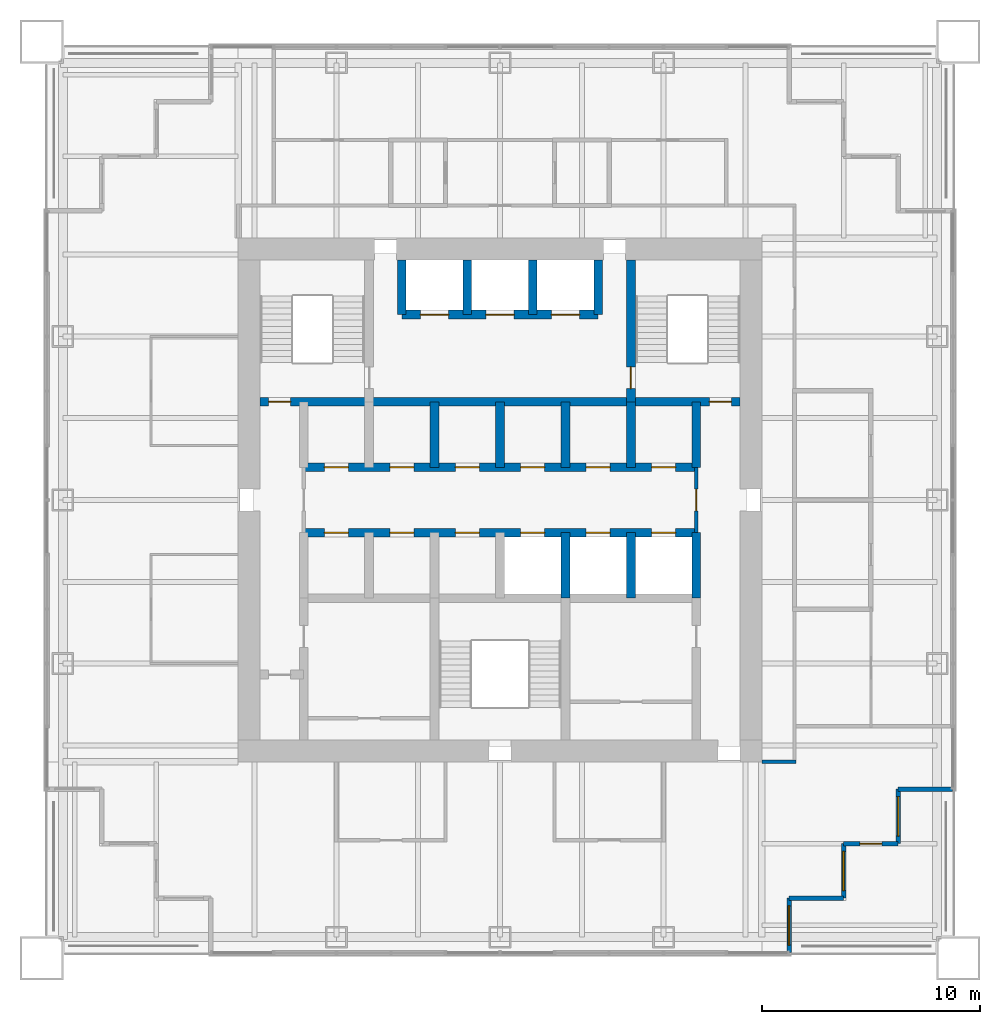
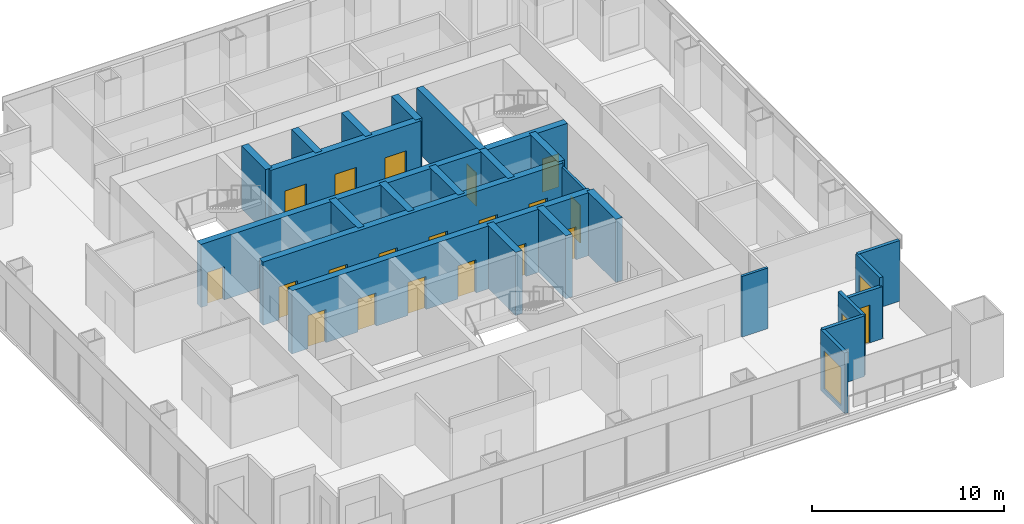
# One storey, part 10 of 14: 25 walls, 20 doors, 3 windows, 23 openings.
"""IFC4 building model written with IfcOpenShell, lengths in metres."""

import ifcopenshell
import ifcopenshell.guid

model = None  # the IFC model being written
_history = None  # IfcOwnerHistory: only IFC2X3 demands one
_inside = {}  # id of a spatial element -> (the spatial element, [elements in it])
_under = {}  # id of a project, library or spatial element -> (it, [spatial elements below it])
_declared = {}  # id of a project -> (the project, [libraries it declares])
_typed = {}  # id of a type object -> (the type object, [elements of that type])
_made_of = {}  # id of a material, layer set ... -> (it, [elements and type objects made of it])


def new_model(schema):
    """Start an empty IFC model of exactly this schema.

    Asked for "IFC4X3", IfcOpenShell would pick the latest addendum, in which some entities
    have other attributes; the version numbers below select the first issue.
    IFC2X3 requires an IfcOwnerHistory on every rooted entity: one is made here for all.
    """
    global model, _history
    if schema == "IFC4X3":
        model = ifcopenshell.file(schema_version=(4, 3, 0, 0))
    else:
        model = ifcopenshell.file(schema=schema)
    _inside.clear()
    _under.clear()
    _declared.clear()
    _typed.clear()
    _made_of.clear()
    _history = None
    if model.schema == "IFC2X3":
        org = make("IfcOrganization", Name="unknown")
        user = make(
            "IfcPersonAndOrganization",
            ThePerson=make("IfcPerson", FamilyName="unknown"),
            TheOrganization=org,
        )
        app = make(
            "IfcApplication",
            ApplicationDeveloper=org,
            Version="unknown",
            ApplicationFullName="unknown",
            ApplicationIdentifier="unknown",
        )
        _history = make(
            "IfcOwnerHistory",
            OwningUser=user,
            OwningApplication=app,
            ChangeAction="ADDED",
            CreationDate=0,
        )
    return model


def make(cls, **values):
    """One entity of the class cls with the attributes given. An attribute that is None is left unset."""
    return model.create_entity(
        cls, **{name: value for name, value in values.items() if value is not None}
    )


def rooted(cls, **values):
    """An entity with a GlobalId (a new one), such as an element, a storey or a relation."""
    return make(cls, GlobalId=ifcopenshell.guid.new(), OwnerHistory=_history, **values)


def si_unit(unit_type, name, prefix=None):
    """IfcSIUnit, for example si_unit("LENGTHUNIT", "METRE", prefix="MILLI")."""
    return make("IfcSIUnit", UnitType=unit_type, Prefix=prefix, Name=name)


def assignment(units):
    """IfcUnitAssignment: the units of a project."""
    return None if units is None else make("IfcUnitAssignment", Units=units)


def point(xyz):
    """IfcCartesianPoint."""
    return None if xyz is None else make("IfcCartesianPoint", Coordinates=xyz)


def direction(xyz):
    """IfcDirection."""
    return None if xyz is None else make("IfcDirection", DirectionRatios=xyz)


def frame(location, z_axis=None, x_axis=None):
    """IfcAxis2Placement3D, a coordinate frame: its origin and axes. An axis left out is left unset."""
    return make(
        "IfcAxis2Placement3D",
        Location=point(location),
        Axis=direction(z_axis),
        RefDirection=direction(x_axis),
    )


def frame_2d(location, x_axis=None):
    """IfcAxis2Placement2D, a coordinate frame in the plane: its origin and x axis."""
    return make(
        "IfcAxis2Placement2D", Location=point(location), RefDirection=direction(x_axis)
    )


def origin():
    """The frame at (0, 0, 0) with its axes left unset."""
    return frame((0.0, 0.0, 0.0))


def place(relative_to, where):
    """IfcLocalPlacement: puts the frame where relative to a parent placement (None: the world)."""
    return make(
        "IfcLocalPlacement", PlacementRelTo=relative_to, RelativePlacement=where
    )


def context(
    kind, dimensions, precision=None, world=None, true_north=None, identifier=None
):
    """IfcGeometricRepresentationContext, for example the 3D "Model" context."""
    return make(
        "IfcGeometricRepresentationContext",
        ContextIdentifier=identifier,
        ContextType=kind,
        CoordinateSpaceDimension=dimensions,
        Precision=precision,
        WorldCoordinateSystem=world,
        TrueNorth=true_north,
    )


def subcontext(parent, identifier, kind, view, scale=None):
    """IfcGeometricRepresentationSubContext, for example "Body" below "Model"."""
    return make(
        "IfcGeometricRepresentationSubContext",
        ContextIdentifier=identifier,
        ContextType=kind,
        ParentContext=parent,
        TargetScale=scale,
        TargetView=view,
    )


def project(units=None, contexts=None):
    """IfcProject with its units and contexts."""
    return rooted(
        "IfcProject",
        Name="project",
        RepresentationContexts=contexts,
        UnitsInContext=assignment(units),
    )


def spatial(cls, under=None, at=None, **own):
    """A site, building, storey or space (cls), placed at a placement, below another one or the project."""
    s = rooted(cls, ObjectPlacement=at, **own)
    if under is not None:
        _under.setdefault(under.id(), (under, []))[1].append(s)
    return s


def profile(cls, at=None, kind="AREA", **sizes):
    """A parametric profile (cls). Its sizes go by their IFC names, for example OverallWidth=200.0."""
    return make(cls, ProfileType=kind, Position=at, **sizes)


def rectangle(**sizes):
    """IfcRectangleProfileDef."""
    return profile("IfcRectangleProfileDef", **sizes)


def extrude(swept, where, along, depth):
    """IfcExtrudedAreaSolid: the profile swept, set in the frame where, extruded along a direction by depth."""
    return make(
        "IfcExtrudedAreaSolid",
        SweptArea=swept,
        Position=where,
        ExtrudedDirection=direction(along),
        Depth=depth,
    )


def shape(context_of_items, identifier, shape_type, items):
    """IfcShapeRepresentation: the items that make up one representation, for example the "Body"."""
    return make(
        "IfcShapeRepresentation",
        ContextOfItems=context_of_items,
        RepresentationIdentifier=identifier,
        RepresentationType=shape_type,
        Items=items,
    )


def material(Name=None, Category=None):
    """IfcMaterial."""
    return make("IfcMaterial", Name=Name, Category=Category)


def layer(
    of_material, thickness, ventilated=None, Name=None, Category=None, Priority=None
):
    """IfcMaterialLayer: one layer of a wall or slab, of a material (None: an air gap)."""
    return make(
        "IfcMaterialLayer",
        Material=of_material,
        LayerThickness=thickness,
        IsVentilated=ventilated,
        Name=Name,
        Category=Category,
        Priority=Priority,
    )


def layer_set(layers, Name=None):
    """IfcMaterialLayerSet."""
    return make("IfcMaterialLayerSet", MaterialLayers=layers, LayerSetName=Name)


def made_of(thing, what):
    """Note that an element or type object is made of a material, layer set ...; save() writes the relation."""
    if what is not None:
        _made_of.setdefault(what.id(), (what, []))[1].append(thing)
    return thing


def type_object(cls, material=None, **own):
    """A type object (cls), such as IfcWallType, which elements share."""
    return made_of(rooted(cls, **own), material)


def element(
    cls,
    number,
    at=None,
    inside=None,
    cuts=None,
    type_object=None,
    material=None,
    context=None,
    identifier="Body",
    shape_type=None,
    held_by="IfcProductDefinitionShape",
    body=None,
    shapes=None,
    **own,
):
    """One element of the class cls, such as IfcWall. Its Tag is "e" and its number.

    at: its placement. inside: the storey or other place that contains it. cuts: it is an
    opening in that element (IfcRelVoidsElement). A single representation is given by context,
    identifier, shape_type and body (its items); several are given by shapes. held_by: the class
    of the entity that holds the representations. save() writes the other relations.
    """
    e = rooted(cls, Tag="e%d" % number, ObjectPlacement=at, **own)
    if body is not None:
        shapes = [shape(context, identifier, shape_type, body)]
    if shapes is not None:
        e.Representation = make(held_by, Representations=shapes)
    if inside is not None:
        _inside.setdefault(inside.id(), (inside, []))[1].append(e)
    if cuts is not None:
        rooted(
            "IfcRelVoidsElement", RelatingBuildingElement=cuts, RelatedOpeningElement=e
        )
    if type_object is not None:
        _typed.setdefault(type_object.id(), (type_object, []))[1].append(e)
    return made_of(e, material)


def fill(opening, filler):
    """IfcRelFillsElement: the door or window that sits in an opening."""
    return rooted(
        "IfcRelFillsElement",
        RelatingOpeningElement=opening,
        RelatedBuildingElement=filler,
    )


def aggregate(whole, parts):
    """IfcRelAggregates: a whole, such as a stair, and the parts it consists of."""
    return rooted("IfcRelAggregates", RelatingObject=whole, RelatedObjects=parts)


def save(model, path):
    """Write the relations noted so far, then the file.

    IfcRelAggregates (storeys below a building ...), IfcRelContainedInSpatialStructure (elements
    in a storey), IfcRelDefinesByType, IfcRelAssociatesMaterial and IfcRelDeclares: one each for
    every whole, place, type object, material and project.
    """
    for whole, parts in _under.values():
        aggregate(whole, parts)
    for where, things in _inside.values():
        rooted(
            "IfcRelContainedInSpatialStructure",
            RelatedElements=things,
            RelatingStructure=where,
        )
    for kind, things in _typed.values():
        rooted("IfcRelDefinesByType", RelatedObjects=things, RelatingType=kind)
    for what, things in _made_of.values():
        rooted("IfcRelAssociatesMaterial", RelatedObjects=things, RelatingMaterial=what)
    for by, libraries in _declared.values():
        rooted("IfcRelDeclares", RelatingContext=by, RelatedDefinitions=libraries)
    model.write(path)


model = new_model("IFC4")

# Units and contexts
model_context = context("Model", 3, precision=1e-05, world=origin(), true_north=direction((0.0, 1.0)))
body_context = subcontext(model_context, "Body", "Model", "MODEL_VIEW")
ifc_project = project(units=[si_unit("LENGTHUNIT", "METRE"), si_unit("AREAUNIT", "SQUARE_METRE"), si_unit("VOLUMEUNIT", "CUBIC_METRE"), si_unit("PLANEANGLEUNIT", "RADIAN"), si_unit("MASSUNIT", "GRAM", prefix="KILO")], contexts=[model_context])

# Site, building, storey
site_placement = place(None, origin())
site = spatial("IfcSite", under=ifc_project, at=site_placement, CompositionType="ELEMENT")
building_placement = place(site_placement, origin())
building = spatial("IfcBuilding", under=site, at=building_placement, Name="Tarangal Relay Tower", CompositionType="ELEMENT")
storey_placement = place(building_placement, frame((0.0, 0.0, 319.89990234375)))
storey = spatial("IfcBuildingStorey", under=building, at=storey_placement, Name="L71", CompositionType="ELEMENT", Elevation=319.89990234375)

# Wall, openings, doors
ifc_material_1 = material(Name="Concrete fc' 60 MPa", Category="concrete")
ifc_layer_1 = layer(ifc_material_1, 0.39990234375)
ifc_layer_set_1 = layer_set([ifc_layer_1], Name="Core inner wall 400")
wall_type_1 = type_object("IfcWallType", Name="Core inner wall 400", PredefinedType="SHEAR", material=ifc_layer_set_1)
wall_1_placement = place(storey_placement, frame((-11.0, 4.5, 0.0), z_axis=(0.0, 0.0, 1.0), x_axis=(1.0, 0.0, 0.0)))
wall_1 = element("IfcWall", 1, at=wall_1_placement, inside=storey, type_object=wall_type_1, Name="Core wall Y45 L71", PredefinedType="SHEAR", context=body_context, shape_type="SweptSolid", body=[
    extrude(rectangle(XDim=22.0, YDim=0.39990234375, at=frame_2d((11.0, 0.0))), origin(), (0.0, 0.0, 1.0), 4.0),
])
opening_1_placement = place(wall_1_placement, frame((0.39990234375, 0.0, 0.0)))
opening_1 = element("IfcOpeningElement", 2, at=opening_1_placement, cuts=wall_1, Name="Opening FD1", PredefinedType="OPENING", context=body_context, shape_type="SweptSolid", body=[
    extrude(rectangle(XDim=1.0, YDim=2.10009765625, at=frame_2d((0.5, 1.050048828125))), frame((0.0, 0.2099609375, 0.0), z_axis=(0.0, -1.0, 0.0), x_axis=(1.0, 0.0, 0.0)), (0.0, 0.0, 1.0), 0.419921875),
])
opening_2_placement = place(wall_1_placement, frame((20.60009765625, 0.0, 0.0)))
opening_2 = element("IfcOpeningElement", 3, at=opening_2_placement, cuts=wall_1, Name="Opening FD1", PredefinedType="OPENING", context=body_context, shape_type="SweptSolid", body=[
    extrude(rectangle(XDim=1.0, YDim=2.10009765625, at=frame_2d((0.5, 1.050048828125))), frame((0.0, 0.2099609375, 0.0), z_axis=(0.0, -1.0, 0.0), x_axis=(1.0, 0.0, 0.0)), (0.0, 0.0, 1.0), 0.419921875),
])
ifc_material_2 = material(Name="Steel door with hardwood frame", Category="steel")
door_type_1 = type_object("IfcDoorType", Name="Fire door 1000 x 2100", OperationType="SINGLE_SWING_LEFT", PredefinedType="DOOR", material=ifc_material_2)
door_1_placement = place(opening_1_placement, origin())
door_1 = element("IfcDoor", 4, at=door_1_placement, inside=storey, type_object=door_type_1, Name="Stair ST-A door from corridor L71", OperationType="SINGLE_SWING_LEFT", OverallHeight=2.10009765625, OverallWidth=1.0, PredefinedType="DOOR", context=body_context, shape_type="SweptSolid", body=[
    extrude(rectangle(XDim=1.0, YDim=2.10009765625, at=frame_2d((0.5, 1.050048828125))), frame((0.0, 0.02490234375, 0.0), z_axis=(0.0, -1.0, 0.0), x_axis=(1.0, 0.0, 0.0)), (0.0, 0.0, 1.0), 0.050048828125),
])
fill(opening_1, door_1)
door_2_placement = place(opening_2_placement, origin())
door_2 = element("IfcDoor", 5, at=door_2_placement, inside=storey, type_object=door_type_1, Name="Stair ST-B door from corridor L71", OperationType="SINGLE_SWING_LEFT", OverallHeight=2.10009765625, OverallWidth=1.0, PredefinedType="DOOR", context=body_context, shape_type="SweptSolid", body=[
    extrude(rectangle(XDim=1.0, YDim=2.10009765625, at=frame_2d((0.5, 1.050048828125))), frame((0.0, 0.02490234375, 0.0), z_axis=(0.0, -1.0, 0.0), x_axis=(1.0, 0.0, 0.0)), (0.0, 0.0, 1.0), 0.050048828125),
])
fill(opening_2, door_2)

wall_2_placement = place(storey_placement, frame((-9.0, 1.5, 0.0), z_axis=(0.0, 0.0, 1.0), x_axis=(1.0, 0.0, 0.0)))
wall_2 = element("IfcWall", 6, at=wall_2_placement, inside=storey, type_object=wall_type_1, Name="Core wall Y15 L71", PredefinedType="SHEAR", context=body_context, shape_type="SweptSolid", body=[
    extrude(rectangle(XDim=18.0, YDim=0.39990234375, at=frame_2d((9.0, 0.0))), origin(), (0.0, 0.0, 1.0), 4.0),
])
opening_3_placement = place(wall_2_placement, frame((0.949951171875, 0.0, 0.0)))
opening_3 = element("IfcOpeningElement", 7, at=opening_3_placement, cuts=wall_2, Name="Opening D4", PredefinedType="OPENING", context=body_context, shape_type="SweptSolid", body=[
    extrude(rectangle(XDim=1.10009765625, YDim=2.10009765625, at=frame_2d((0.550048828125, 1.050048828125))), frame((0.0, 0.2099609375, 0.0), z_axis=(0.0, -1.0, 0.0), x_axis=(1.0, 0.0, 0.0)), (0.0, 0.0, 1.0), 0.419921875),
])
opening_4_placement = place(wall_2_placement, frame((3.949951171875, 0.0, 0.0)))
opening_4 = element("IfcOpeningElement", 8, at=opening_4_placement, cuts=wall_2, Name="Opening D4", PredefinedType="OPENING", context=body_context, shape_type="SweptSolid", body=[
    extrude(rectangle(XDim=1.10009765625, YDim=2.10009765625, at=frame_2d((0.550048828125, 1.050048828125))), frame((0.0, 0.2099609375, 0.0), z_axis=(0.0, -1.0, 0.0), x_axis=(1.0, 0.0, 0.0)), (0.0, 0.0, 1.0), 0.419921875),
])
opening_5_placement = place(wall_2_placement, frame((6.949951171875, 0.0, 0.0)))
opening_5 = element("IfcOpeningElement", 9, at=opening_5_placement, cuts=wall_2, Name="Opening D4", PredefinedType="OPENING", context=body_context, shape_type="SweptSolid", body=[
    extrude(rectangle(XDim=1.10009765625, YDim=2.10009765625, at=frame_2d((0.550048828125, 1.050048828125))), frame((0.0, 0.2099609375, 0.0), z_axis=(0.0, -1.0, 0.0), x_axis=(1.0, 0.0, 0.0)), (0.0, 0.0, 1.0), 0.419921875),
])
opening_6_placement = place(wall_2_placement, frame((9.949951171875, 0.0, 0.0)))
opening_6 = element("IfcOpeningElement", 10, at=opening_6_placement, cuts=wall_2, Name="Opening D4", PredefinedType="OPENING", context=body_context, shape_type="SweptSolid", body=[
    extrude(rectangle(XDim=1.10009765625, YDim=2.10009765625, at=frame_2d((0.550048828125, 1.050048828125))), frame((0.0, 0.2099609375, 0.0), z_axis=(0.0, -1.0, 0.0), x_axis=(1.0, 0.0, 0.0)), (0.0, 0.0, 1.0), 0.419921875),
])
opening_7_placement = place(wall_2_placement, frame((12.949951171875, 0.0, 0.0)))
opening_7 = element("IfcOpeningElement", 11, at=opening_7_placement, cuts=wall_2, Name="Opening D4", PredefinedType="OPENING", context=body_context, shape_type="SweptSolid", body=[
    extrude(rectangle(XDim=1.10009765625, YDim=2.10009765625, at=frame_2d((0.550048828125, 1.050048828125))), frame((0.0, 0.2099609375, 0.0), z_axis=(0.0, -1.0, 0.0), x_axis=(1.0, 0.0, 0.0)), (0.0, 0.0, 1.0), 0.419921875),
])
opening_8_placement = place(wall_2_placement, frame((15.949951171875, 0.0, 0.0)))
opening_8 = element("IfcOpeningElement", 12, at=opening_8_placement, cuts=wall_2, Name="Opening D4", PredefinedType="OPENING", context=body_context, shape_type="SweptSolid", body=[
    extrude(rectangle(XDim=1.10009765625, YDim=2.10009765625, at=frame_2d((0.550048828125, 1.050048828125))), frame((0.0, 0.2099609375, 0.0), z_axis=(0.0, -1.0, 0.0), x_axis=(1.0, 0.0, 0.0)), (0.0, 0.0, 1.0), 0.419921875),
])
door_type_2 = type_object("IfcDoorType", Name="Core room door 1100 x 2100", OperationType="SINGLE_SWING_RIGHT", PredefinedType="DOOR", material=ifc_material_2)
door_3_placement = place(opening_3_placement, origin())
door_3 = element("IfcDoor", 13, at=door_3_placement, inside=storey, type_object=door_type_2, Name="Door D4 to staff wc L71-D1", OperationType="SINGLE_SWING_RIGHT", OverallHeight=2.10009765625, OverallWidth=1.10009765625, PredefinedType="DOOR", context=body_context, shape_type="SweptSolid", body=[
    extrude(rectangle(XDim=1.10009765625, YDim=2.10009765625, at=frame_2d((0.550048828125, 1.050048828125))), frame((0.0, 0.02490234375, 0.0), z_axis=(0.0, -1.0, 0.0), x_axis=(1.0, 0.0, 0.0)), (0.0, 0.0, 1.0), 0.050048828125),
])
fill(opening_3, door_3)
door_4_placement = place(opening_4_placement, origin())
door_4 = element("IfcDoor", 14, at=door_4_placement, inside=storey, type_object=door_type_2, Name="Door D4 to staff pantry L71-D2", OperationType="SINGLE_SWING_RIGHT", OverallHeight=2.10009765625, OverallWidth=1.10009765625, PredefinedType="DOOR", context=body_context, shape_type="SweptSolid", body=[
    extrude(rectangle(XDim=1.10009765625, YDim=2.10009765625, at=frame_2d((0.550048828125, 1.050048828125))), frame((0.0, 0.02490234375, 0.0), z_axis=(0.0, -1.0, 0.0), x_axis=(1.0, 0.0, 0.0)), (0.0, 0.0, 1.0), 0.050048828125),
])
fill(opening_4, door_4)
door_5_placement = place(opening_5_placement, origin())
door_5 = element("IfcDoor", 15, at=door_5_placement, inside=storey, type_object=door_type_2, Name="Door D4 to it room L71-D3", OperationType="SINGLE_SWING_RIGHT", OverallHeight=2.10009765625, OverallWidth=1.10009765625, PredefinedType="DOOR", context=body_context, shape_type="SweptSolid", body=[
    extrude(rectangle(XDim=1.10009765625, YDim=2.10009765625, at=frame_2d((0.550048828125, 1.050048828125))), frame((0.0, 0.02490234375, 0.0), z_axis=(0.0, -1.0, 0.0), x_axis=(1.0, 0.0, 0.0)), (0.0, 0.0, 1.0), 0.050048828125),
])
fill(opening_5, door_5)
door_6_placement = place(opening_6_placement, origin())
door_6 = element("IfcDoor", 16, at=door_6_placement, inside=storey, type_object=door_type_2, Name="Door D4 to cleaner's store L71-T1", OperationType="SINGLE_SWING_RIGHT", OverallHeight=2.10009765625, OverallWidth=1.10009765625, PredefinedType="DOOR", context=body_context, shape_type="SweptSolid", body=[
    extrude(rectangle(XDim=1.10009765625, YDim=2.10009765625, at=frame_2d((0.550048828125, 1.050048828125))), frame((0.0, 0.02490234375, 0.0), z_axis=(0.0, -1.0, 0.0), x_axis=(1.0, 0.0, 0.0)), (0.0, 0.0, 1.0), 0.050048828125),
])
fill(opening_6, door_6)
door_7_placement = place(opening_7_placement, origin())
door_7 = element("IfcDoor", 17, at=door_7_placement, inside=storey, type_object=door_type_2, Name="Door D4 to staff wc L71-T2", OperationType="SINGLE_SWING_RIGHT", OverallHeight=2.10009765625, OverallWidth=1.10009765625, PredefinedType="DOOR", context=body_context, shape_type="SweptSolid", body=[
    extrude(rectangle(XDim=1.10009765625, YDim=2.10009765625, at=frame_2d((0.550048828125, 1.050048828125))), frame((0.0, 0.02490234375, 0.0), z_axis=(0.0, -1.0, 0.0), x_axis=(1.0, 0.0, 0.0)), (0.0, 0.0, 1.0), 0.050048828125),
])
fill(opening_7, door_7)
door_8_placement = place(opening_8_placement, origin())
door_8 = element("IfcDoor", 18, at=door_8_placement, inside=storey, type_object=door_type_2, Name="Door D4 to staff pantry L71-T3", OperationType="SINGLE_SWING_RIGHT", OverallHeight=2.10009765625, OverallWidth=1.10009765625, PredefinedType="DOOR", context=body_context, shape_type="SweptSolid", body=[
    extrude(rectangle(XDim=1.10009765625, YDim=2.10009765625, at=frame_2d((0.550048828125, 1.050048828125))), frame((0.0, 0.02490234375, 0.0), z_axis=(0.0, -1.0, 0.0), x_axis=(1.0, 0.0, 0.0)), (0.0, 0.0, 1.0), 0.050048828125),
])
fill(opening_8, door_8)

wall_3_placement = place(storey_placement, frame((-9.0, -1.5, 0.0), z_axis=(0.0, 0.0, 1.0), x_axis=(1.0, 0.0, 0.0)))
wall_3 = element("IfcWall", 19, at=wall_3_placement, inside=storey, type_object=wall_type_1, Name="Core wall YM15 L71", PredefinedType="SHEAR", context=body_context, shape_type="SweptSolid", body=[
    extrude(rectangle(XDim=18.0, YDim=0.39990234375, at=frame_2d((9.0, 0.0))), origin(), (0.0, 0.0, 1.0), 4.0),
])
opening_9_placement = place(wall_3_placement, frame((9.949951171875, 0.0, 0.0)))
opening_9 = element("IfcOpeningElement", 20, at=opening_9_placement, cuts=wall_3, Name="Opening LD1", PredefinedType="OPENING", context=body_context, shape_type="SweptSolid", body=[
    extrude(rectangle(XDim=1.10009765625, YDim=2.10009765625, at=frame_2d((0.550048828125, 1.050048828125))), frame((0.0, 0.2099609375, 0.0), z_axis=(0.0, -1.0, 0.0), x_axis=(1.0, 0.0, 0.0)), (0.0, 0.0, 1.0), 0.419921875),
])
opening_10_placement = place(wall_3_placement, frame((12.949951171875, 0.0, 0.0)))
opening_10 = element("IfcOpeningElement", 21, at=opening_10_placement, cuts=wall_3, Name="Opening LD1", PredefinedType="OPENING", context=body_context, shape_type="SweptSolid", body=[
    extrude(rectangle(XDim=1.10009765625, YDim=2.10009765625, at=frame_2d((0.550048828125, 1.050048828125))), frame((0.0, 0.2099609375, 0.0), z_axis=(0.0, -1.0, 0.0), x_axis=(1.0, 0.0, 0.0)), (0.0, 0.0, 1.0), 0.419921875),
])
opening_11_placement = place(wall_3_placement, frame((15.949951171875, 0.0, 0.0)))
opening_11 = element("IfcOpeningElement", 22, at=opening_11_placement, cuts=wall_3, Name="Opening LD1", PredefinedType="OPENING", context=body_context, shape_type="SweptSolid", body=[
    extrude(rectangle(XDim=1.10009765625, YDim=2.10009765625, at=frame_2d((0.550048828125, 1.050048828125))), frame((0.0, 0.2099609375, 0.0), z_axis=(0.0, -1.0, 0.0), x_axis=(1.0, 0.0, 0.0)), (0.0, 0.0, 1.0), 0.419921875),
])
opening_12_placement = place(wall_3_placement, frame((0.949951171875, 0.0, 0.0)))
opening_12 = element("IfcOpeningElement", 23, at=opening_12_placement, cuts=wall_3, Name="Opening D4", PredefinedType="OPENING", context=body_context, shape_type="SweptSolid", body=[
    extrude(rectangle(XDim=1.10009765625, YDim=2.10009765625, at=frame_2d((0.550048828125, 1.050048828125))), frame((0.0, 0.2099609375, 0.0), z_axis=(0.0, -1.0, 0.0), x_axis=(1.0, 0.0, 0.0)), (0.0, 0.0, 1.0), 0.419921875),
])
opening_13_placement = place(wall_3_placement, frame((3.949951171875, 0.0, 0.0)))
opening_13 = element("IfcOpeningElement", 24, at=opening_13_placement, cuts=wall_3, Name="Opening D4", PredefinedType="OPENING", context=body_context, shape_type="SweptSolid", body=[
    extrude(rectangle(XDim=1.10009765625, YDim=2.10009765625, at=frame_2d((0.550048828125, 1.050048828125))), frame((0.0, 0.2099609375, 0.0), z_axis=(0.0, -1.0, 0.0), x_axis=(1.0, 0.0, 0.0)), (0.0, 0.0, 1.0), 0.419921875),
])
opening_14_placement = place(wall_3_placement, frame((6.949951171875, 0.0, 0.0)))
opening_14 = element("IfcOpeningElement", 25, at=opening_14_placement, cuts=wall_3, Name="Opening D4", PredefinedType="OPENING", context=body_context, shape_type="SweptSolid", body=[
    extrude(rectangle(XDim=1.10009765625, YDim=2.10009765625, at=frame_2d((0.550048828125, 1.050048828125))), frame((0.0, 0.2099609375, 0.0), z_axis=(0.0, -1.0, 0.0), x_axis=(1.0, 0.0, 0.0)), (0.0, 0.0, 1.0), 0.419921875),
])
door_9_placement = place(opening_12_placement, origin())
door_9 = element("IfcDoor", 26, at=door_9_placement, inside=storey, type_object=door_type_2, Name="Door D4 to it room L71-S1", OperationType="SINGLE_SWING_RIGHT", OverallHeight=2.10009765625, OverallWidth=1.10009765625, PredefinedType="DOOR", context=body_context, shape_type="SweptSolid", body=[
    extrude(rectangle(XDim=1.10009765625, YDim=2.10009765625, at=frame_2d((0.550048828125, 1.050048828125))), frame((0.0, 0.02490234375, 0.0), z_axis=(0.0, -1.0, 0.0), x_axis=(1.0, 0.0, 0.0)), (0.0, 0.0, 1.0), 0.050048828125),
])
fill(opening_12, door_9)
door_10_placement = place(opening_13_placement, origin())
door_10 = element("IfcDoor", 27, at=door_10_placement, inside=storey, type_object=door_type_2, Name="Door D4 to cleaner's store L71-S2", OperationType="SINGLE_SWING_RIGHT", OverallHeight=2.10009765625, OverallWidth=1.10009765625, PredefinedType="DOOR", context=body_context, shape_type="SweptSolid", body=[
    extrude(rectangle(XDim=1.10009765625, YDim=2.10009765625, at=frame_2d((0.550048828125, 1.050048828125))), frame((0.0, 0.02490234375, 0.0), z_axis=(0.0, -1.0, 0.0), x_axis=(1.0, 0.0, 0.0)), (0.0, 0.0, 1.0), 0.050048828125),
])
fill(opening_13, door_10)
door_11_placement = place(opening_14_placement, origin())
door_11 = element("IfcDoor", 28, at=door_11_placement, inside=storey, type_object=door_type_2, Name="Door D4 to staff wc L71-S3", OperationType="SINGLE_SWING_RIGHT", OverallHeight=2.10009765625, OverallWidth=1.10009765625, PredefinedType="DOOR", context=body_context, shape_type="SweptSolid", body=[
    extrude(rectangle(XDim=1.10009765625, YDim=2.10009765625, at=frame_2d((0.550048828125, 1.050048828125))), frame((0.0, 0.02490234375, 0.0), z_axis=(0.0, -1.0, 0.0), x_axis=(1.0, 0.0, 0.0)), (0.0, 0.0, 1.0), 0.050048828125),
])
fill(opening_14, door_11)
door_type_3 = type_object("IfcDoorType", Name="Lift landing door 1100 x 2100", OperationType="SLIDING_TO_LEFT", PredefinedType="DOOR", material=ifc_material_2)
door_12_placement = place(opening_9_placement, origin())
door_12 = element("IfcDoor", 29, at=door_12_placement, inside=storey, type_object=door_type_3, Name="Lift OH1 landing door L71", OperationType="SLIDING_TO_LEFT", OverallHeight=2.10009765625, OverallWidth=1.10009765625, PredefinedType="DOOR", context=body_context, shape_type="SweptSolid", body=[
    extrude(rectangle(XDim=1.10009765625, YDim=2.10009765625, at=frame_2d((0.550048828125, 1.050048828125))), frame((0.0, 0.02490234375, 0.0), z_axis=(0.0, -1.0, 0.0), x_axis=(1.0, 0.0, 0.0)), (0.0, 0.0, 1.0), 0.050048828125),
])
fill(opening_9, door_12)
door_13_placement = place(opening_10_placement, origin())
door_13 = element("IfcDoor", 30, at=door_13_placement, inside=storey, type_object=door_type_3, Name="Lift OH2 landing door L71", OperationType="SLIDING_TO_LEFT", OverallHeight=2.10009765625, OverallWidth=1.10009765625, PredefinedType="DOOR", context=body_context, shape_type="SweptSolid", body=[
    extrude(rectangle(XDim=1.10009765625, YDim=2.10009765625, at=frame_2d((0.550048828125, 1.050048828125))), frame((0.0, 0.02490234375, 0.0), z_axis=(0.0, -1.0, 0.0), x_axis=(1.0, 0.0, 0.0)), (0.0, 0.0, 1.0), 0.050048828125),
])
fill(opening_10, door_13)
door_14_placement = place(opening_11_placement, origin())
door_14 = element("IfcDoor", 31, at=door_14_placement, inside=storey, type_object=door_type_3, Name="Lift OH3 landing door L71", OperationType="SLIDING_TO_LEFT", OverallHeight=2.10009765625, OverallWidth=1.10009765625, PredefinedType="DOOR", context=body_context, shape_type="SweptSolid", body=[
    extrude(rectangle(XDim=1.10009765625, YDim=2.10009765625, at=frame_2d((0.550048828125, 1.050048828125))), frame((0.0, 0.02490234375, 0.0), z_axis=(0.0, -1.0, 0.0), x_axis=(1.0, 0.0, 0.0)), (0.0, 0.0, 1.0), 0.050048828125),
])
fill(opening_11, door_14)

wall_4_placement = place(storey_placement, frame((-4.5, 8.5, 0.0), z_axis=(0.0, 0.0, 1.0), x_axis=(1.0, 0.0, 0.0)))
wall_4 = element("IfcWall", 32, at=wall_4_placement, inside=storey, type_object=wall_type_1, Name="Core wall Y85 L71", PredefinedType="SHEAR", context=body_context, shape_type="SweptSolid", body=[
    extrude(rectangle(XDim=9.0, YDim=0.39990234375, at=frame_2d((4.5, 0.0))), origin(), (0.0, 0.0, 1.0), 4.0),
])
opening_15_placement = place(wall_4_placement, frame((0.85009765625, 0.0, 0.0)))
opening_15 = element("IfcOpeningElement", 33, at=opening_15_placement, cuts=wall_4, Name="Opening LD2", PredefinedType="OPENING", context=body_context, shape_type="SweptSolid", body=[
    extrude(rectangle(XDim=1.300048828125, YDim=2.39990234375, at=frame_2d((0.64990234375, 1.199951171875))), frame((0.0, 0.2099609375, 0.0), z_axis=(0.0, -1.0, 0.0), x_axis=(1.0, 0.0, 0.0)), (0.0, 0.0, 1.0), 0.419921875),
])
opening_16_placement = place(wall_4_placement, frame((6.85009765625, 0.0, 0.0)))
opening_16 = element("IfcOpeningElement", 34, at=opening_16_placement, cuts=wall_4, Name="Opening LD2", PredefinedType="OPENING", context=body_context, shape_type="SweptSolid", body=[
    extrude(rectangle(XDim=1.300048828125, YDim=2.39990234375, at=frame_2d((0.64990234375, 1.199951171875))), frame((0.0, 0.2099609375, 0.0), z_axis=(0.0, -1.0, 0.0), x_axis=(1.0, 0.0, 0.0)), (0.0, 0.0, 1.0), 0.419921875),
])
opening_17_placement = place(wall_4_placement, frame((3.85009765625, 0.0, 0.0)))
opening_17 = element("IfcOpeningElement", 35, at=opening_17_placement, cuts=wall_4, Name="Opening LD2", PredefinedType="OPENING", context=body_context, shape_type="SweptSolid", body=[
    extrude(rectangle(XDim=1.300048828125, YDim=2.39990234375, at=frame_2d((0.64990234375, 1.199951171875))), frame((0.0, 0.2099609375, 0.0), z_axis=(0.0, -1.0, 0.0), x_axis=(1.0, 0.0, 0.0)), (0.0, 0.0, 1.0), 0.419921875),
])
door_type_4 = type_object("IfcDoorType", Name="Lift landing door 1300 x 2400", OperationType="SLIDING_TO_LEFT", PredefinedType="DOOR", material=ifc_material_2)
door_15_placement = place(opening_15_placement, origin())
door_15 = element("IfcDoor", 36, at=door_15_placement, inside=storey, type_object=door_type_4, Name="Lift FF1 landing door L71", OperationType="SLIDING_TO_LEFT", OverallHeight=2.39990234375, OverallWidth=1.300048828125, PredefinedType="DOOR", context=body_context, shape_type="SweptSolid", body=[
    extrude(rectangle(XDim=1.300048828125, YDim=2.39990234375, at=frame_2d((0.64990234375, 1.199951171875))), frame((0.0, 0.02490234375, 0.0), z_axis=(0.0, -1.0, 0.0), x_axis=(1.0, 0.0, 0.0)), (0.0, 0.0, 1.0), 0.050048828125),
])
fill(opening_15, door_15)
door_16_placement = place(opening_16_placement, origin())
door_16 = element("IfcDoor", 37, at=door_16_placement, inside=storey, type_object=door_type_4, Name="Lift FF2 landing door L71", OperationType="SLIDING_TO_LEFT", OverallHeight=2.39990234375, OverallWidth=1.300048828125, PredefinedType="DOOR", context=body_context, shape_type="SweptSolid", body=[
    extrude(rectangle(XDim=1.300048828125, YDim=2.39990234375, at=frame_2d((0.64990234375, 1.199951171875))), frame((0.0, 0.02490234375, 0.0), z_axis=(0.0, -1.0, 0.0), x_axis=(1.0, 0.0, 0.0)), (0.0, 0.0, 1.0), 0.050048828125),
])
fill(opening_16, door_16)
door_17_placement = place(opening_17_placement, origin())
door_17 = element("IfcDoor", 38, at=door_17_placement, inside=storey, type_object=door_type_4, Name="Lift SV1 landing door L71", OperationType="SLIDING_TO_LEFT", OverallHeight=2.39990234375, OverallWidth=1.300048828125, PredefinedType="DOOR", context=body_context, shape_type="SweptSolid", body=[
    extrude(rectangle(XDim=1.300048828125, YDim=2.39990234375, at=frame_2d((0.64990234375, 1.199951171875))), frame((0.0, 0.02490234375, 0.0), z_axis=(0.0, -1.0, 0.0), x_axis=(1.0, 0.0, 0.0)), (0.0, 0.0, 1.0), 0.050048828125),
])
fill(opening_17, door_17)

# Walls
for number, where, z_axis, x_axis, name in (
    (39, (9.0, 1.5, 0.0), (0.0, 0.0, 1.0), (0.0, 1.0, 0.0), "Core wall X9N L71"),
    (40, (9.0, -4.5, 0.0), (0.0, 0.0, 1.0), (0.0, 1.0, 0.0), "Core wall X9S L71"),
    (41, (-3.0, 1.5, 0.0), (0.0, 0.0, 1.0), (0.0, 1.0, 0.0), "Core wall XM3N L71"),
    (42, (0.0, 1.5, 0.0), (0.0, 0.0, 1.0), (0.0, 1.0, 0.0), "Core wall X0N L71"),
    (43, (3.0, 1.5, 0.0), (0.0, 0.0, 1.0), (0.0, 1.0, 0.0), "Core wall X3N L71"),
    (44, (6.0, 1.5, 0.0), (0.0, 0.0, 1.0), (0.0, 1.0, 0.0), "Core wall X6N L71"),
    (45, (3.0, -4.5, 0.0), (0.0, 0.0, 1.0), (0.0, 1.0, 0.0), "Core wall X3S L71"),
    (46, (6.0, -4.5, 0.0), (0.0, 0.0, 1.0), (0.0, 1.0, 0.0), "Core wall X6S L71"),
):
    element("IfcWall", number, at=place(storey_placement, frame(where, z_axis=z_axis, x_axis=x_axis)), inside=storey, type_object=wall_type_1, Name=name, PredefinedType="SHEAR", context=body_context, shape_type="SweptSolid", body=[
        extrude(rectangle(XDim=3.0, YDim=0.39990234375, at=frame_2d((1.5, 0.0))), origin(), (0.0, 0.0, 1.0), 4.0),
    ])

# Wall, opening, door
wall_5_placement = place(storey_placement, frame((6.0, 4.5, 0.0), z_axis=(0.0, 0.0, 1.0), x_axis=(0.0, 1.0, 0.0)))
wall_5 = element("IfcWall", 47, at=wall_5_placement, inside=storey, type_object=wall_type_1, Name="Core wall X6 L71", PredefinedType="SHEAR", context=body_context, shape_type="SweptSolid", body=[
    extrude(rectangle(XDim=6.5, YDim=0.39990234375, at=frame_2d((3.25, 0.0))), origin(), (0.0, 0.0, 1.0), 4.0),
])
opening_18_placement = place(wall_5_placement, frame((0.60009765625, 0.0, 0.0)))
opening_18 = element("IfcOpeningElement", 48, at=opening_18_placement, cuts=wall_5, Name="Opening FD1", PredefinedType="OPENING", context=body_context, shape_type="SweptSolid", body=[
    extrude(rectangle(XDim=1.0, YDim=2.10009765625, at=frame_2d((0.5, 1.050048828125))), frame((0.0, 0.2099609375, 0.0), z_axis=(0.0, -1.0, 0.0), x_axis=(1.0, 0.0, 0.0)), (0.0, 0.0, 1.0), 0.419921875),
])
door_18_placement = place(opening_18_placement, origin())
door_18 = element("IfcDoor", 49, at=door_18_placement, inside=storey, type_object=door_type_1, Name="Stair ST-B door from fire-fighting lobby L71", OperationType="SINGLE_SWING_LEFT", OverallHeight=2.10009765625, OverallWidth=1.0, PredefinedType="DOOR", context=body_context, shape_type="SweptSolid", body=[
    extrude(rectangle(XDim=1.0, YDim=2.10009765625, at=frame_2d((0.5, 1.050048828125))), frame((0.0, 0.02490234375, 0.0), z_axis=(0.0, -1.0, 0.0), x_axis=(1.0, 0.0, 0.0)), (0.0, 0.0, 1.0), 0.050048828125),
])
fill(opening_18, door_18)

# Walls
for number, where, z_axis, x_axis, name in (
    (50, (-4.5, 8.5, 0.0), (0.0, 0.0, 1.0), (0.0, 1.0, 0.0), "Core wall XM45 L71"),
    (51, (4.5, 8.5, 0.0), (0.0, 0.0, 1.0), (0.0, 1.0, 0.0), "Core wall X45 L71"),
    (52, (-1.5, 8.5, 0.0), (0.0, 0.0, 1.0), (0.0, 1.0, 0.0), "Core wall XM15 L71"),
    (53, (1.5, 8.5, 0.0), (0.0, 0.0, 1.0), (0.0, 1.0, 0.0), "Core wall X15 L71"),
):
    element("IfcWall", number, at=place(storey_placement, frame(where, z_axis=z_axis, x_axis=x_axis)), inside=storey, type_object=wall_type_1, Name=name, PredefinedType="SHEAR", context=body_context, shape_type="SweptSolid", body=[
        extrude(rectangle(XDim=2.5, YDim=0.39990234375, at=frame_2d((1.25, 0.0))), origin(), (0.0, 0.0, 1.0), 4.0),
    ])
ifc_material_3 = material(Name="Black metal clad insulated wall", Category="steel")
ifc_layer_2 = layer(ifc_material_3, 0.199951171875)
ifc_layer_set_2 = layer_set([ifc_layer_2], Name="Corner wall metal clad 200")
wall_type_2 = type_object("IfcWallType", Name="Corner wall metal clad 200", PredefinedType="SOLIDWALL", material=ifc_layer_set_2)
wall_6_placement = place(storey_placement, frame((20.75, -13.25, 0.0), z_axis=(0.0, 0.0, 1.0), x_axis=(-1.0, 0.0, 0.0)))
element("IfcWall", 54, at=wall_6_placement, inside=storey, type_object=wall_type_2, Name="Facade wall E facade L71", PredefinedType="SOLIDWALL", context=body_context, shape_type="SweptSolid", body=[
    extrude(rectangle(XDim=2.5, YDim=0.199951171875, at=frame_2d((1.25, 0.0))), origin(), (0.0, 0.0, 1.0), 3.85009765625),
])

# Wall, opening, window
wall_7_placement = place(storey_placement, frame((18.25, -13.25, 0.0), z_axis=(0.0, 0.0, 1.0), x_axis=(0.0, -1.0, 0.0)))
wall_7 = element("IfcWall", 55, at=wall_7_placement, inside=storey, type_object=wall_type_2, Name="Facade wall E facade L71", PredefinedType="SOLIDWALL", context=body_context, shape_type="SweptSolid", body=[
    extrude(rectangle(XDim=2.5, YDim=0.199951171875, at=frame_2d((1.25, 0.0))), origin(), (0.0, 0.0, 1.0), 3.85009765625),
])
opening_19_placement = place(wall_7_placement, frame((0.35009765625, 0.0, 0.300048828125)))
opening_19 = element("IfcOpeningElement", 56, at=opening_19_placement, cuts=wall_7, Name="Opening WN2", PredefinedType="OPENING", context=body_context, shape_type="SweptSolid", body=[
    extrude(rectangle(XDim=1.800048828125, YDim=2.39990234375, at=frame_2d((0.89990234375, 1.199951171875))), frame((0.0, 0.10986328125, 0.0), z_axis=(0.0, -1.0, 0.0), x_axis=(1.0, 0.0, 0.0)), (0.0, 0.0, 1.0), 0.219970703125),
])
ifc_material_4 = material(Name="Dark tinted double glazing in black aluminium frame", Category="aluminium")
window_type = type_object("IfcWindowType", Name="Corner window 1800 x 2400", PartitioningType="SINGLE_PANEL", PredefinedType="WINDOW", material=ifc_material_4)
window_1_placement = place(opening_19_placement, origin())
window_1 = element("IfcWindow", 57, at=window_1_placement, inside=storey, type_object=window_type, Name="Corner window WN2 E facade L71", OverallHeight=2.39990234375, OverallWidth=1.800048828125, PartitioningType="SINGLE_PANEL", PredefinedType="WINDOW", context=body_context, shape_type="SweptSolid", body=[
    extrude(rectangle(XDim=1.800048828125, YDim=2.39990234375, at=frame_2d((0.89990234375, 1.199951171875))), frame((0.0, 0.030029296875, 0.0), z_axis=(0.0, -1.0, 0.0), x_axis=(1.0, 0.0, 0.0)), (0.0, 0.0, 1.0), 0.06005859375),
])
fill(opening_19, window_1)

# Wall, opening, door
wall_8_placement = place(storey_placement, frame((18.25, -15.75, 0.0), z_axis=(0.0, 0.0, 1.0), x_axis=(-1.0, 0.0, 0.0)))
wall_8 = element("IfcWall", 58, at=wall_8_placement, inside=storey, type_object=wall_type_2, Name="Facade wall E facade L71", PredefinedType="SOLIDWALL", context=body_context, shape_type="SweptSolid", body=[
    extrude(rectangle(XDim=2.5, YDim=0.199951171875, at=frame_2d((1.25, 0.0))), origin(), (0.0, 0.0, 1.0), 3.316650390625),
])
opening_20_placement = place(wall_8_placement, frame((0.75, 0.0, 0.0)))
opening_20 = element("IfcOpeningElement", 59, at=opening_20_placement, cuts=wall_8, Name="Opening TD1", PredefinedType="OPENING", context=body_context, shape_type="SweptSolid", body=[
    extrude(rectangle(XDim=1.0, YDim=2.39990234375, at=frame_2d((0.5, 1.199951171875))), frame((0.0, 0.10986328125, 0.0), z_axis=(0.0, -1.0, 0.0), x_axis=(1.0, 0.0, 0.0)), (0.0, 0.0, 1.0), 0.219970703125),
])
ifc_material_5 = material(Name="Aluminium glazed door", Category="aluminium")
door_type_5 = type_object("IfcDoorType", Name="Terrace door 1000 x 2400", OperationType="SINGLE_SWING_RIGHT", PredefinedType="DOOR", material=ifc_material_5)
door_19_placement = place(opening_20_placement, origin())
door_19 = element("IfcDoor", 60, at=door_19_placement, inside=storey, type_object=door_type_5, Name="Terrace door TD1 SE L71", OperationType="SINGLE_SWING_RIGHT", OverallHeight=2.39990234375, OverallWidth=1.0, PredefinedType="DOOR", context=body_context, shape_type="SweptSolid", body=[
    extrude(rectangle(XDim=1.0, YDim=2.39990234375, at=frame_2d((0.5, 1.199951171875))), frame((0.0, 0.02490234375, 0.0), z_axis=(0.0, -1.0, 0.0), x_axis=(1.0, 0.0, 0.0)), (0.0, 0.0, 1.0), 0.050048828125),
])
fill(opening_20, door_19)

# Wall, opening, window
wall_9_placement = place(storey_placement, frame((15.75, -15.75, 0.0), z_axis=(0.0, 0.0, 1.0), x_axis=(0.0, -1.0, 0.0)))
wall_9 = element("IfcWall", 61, at=wall_9_placement, inside=storey, type_object=wall_type_2, Name="Facade wall E facade L71", PredefinedType="SOLIDWALL", context=body_context, shape_type="SweptSolid", body=[
    extrude(rectangle(XDim=2.5, YDim=0.199951171875, at=frame_2d((1.25, 0.0))), origin(), (0.0, 0.0, 1.0), 3.85009765625),
])
opening_21_placement = place(wall_9_placement, frame((0.35009765625, 0.0, 0.300048828125)))
opening_21 = element("IfcOpeningElement", 62, at=opening_21_placement, cuts=wall_9, Name="Opening WN2", PredefinedType="OPENING", context=body_context, shape_type="SweptSolid", body=[
    extrude(rectangle(XDim=1.800048828125, YDim=2.39990234375, at=frame_2d((0.89990234375, 1.199951171875))), frame((0.0, 0.10986328125, 0.0), z_axis=(0.0, -1.0, 0.0), x_axis=(1.0, 0.0, 0.0)), (0.0, 0.0, 1.0), 0.219970703125),
])
window_2_placement = place(opening_21_placement, origin())
window_2 = element("IfcWindow", 63, at=window_2_placement, inside=storey, type_object=window_type, Name="Corner window WN2 E facade L71", OverallHeight=2.39990234375, OverallWidth=1.800048828125, PartitioningType="SINGLE_PANEL", PredefinedType="WINDOW", context=body_context, shape_type="SweptSolid", body=[
    extrude(rectangle(XDim=1.800048828125, YDim=2.39990234375, at=frame_2d((0.89990234375, 1.199951171875))), frame((0.0, 0.030029296875, 0.0), z_axis=(0.0, -1.0, 0.0), x_axis=(1.0, 0.0, 0.0)), (0.0, 0.0, 1.0), 0.06005859375),
])
fill(opening_21, window_2)

# Wall
wall_10_placement = place(storey_placement, frame((15.75, -18.25, 0.0), z_axis=(0.0, 0.0, 1.0), x_axis=(-1.0, 0.0, 0.0)))
element("IfcWall", 64, at=wall_10_placement, inside=storey, type_object=wall_type_2, Name="Facade wall E facade L71", PredefinedType="SOLIDWALL", context=body_context, shape_type="SweptSolid", body=[
    extrude(rectangle(XDim=2.5, YDim=0.199951171875, at=frame_2d((1.25, 0.0))), origin(), (0.0, 0.0, 1.0), 3.85009765625),
])

# Wall, opening, window
wall_11_placement = place(storey_placement, frame((13.25, -18.25, 0.0), z_axis=(0.0, 0.0, 1.0), x_axis=(0.0, -1.0, 0.0)))
wall_11 = element("IfcWall", 65, at=wall_11_placement, inside=storey, type_object=wall_type_2, Name="Facade wall E facade L71", PredefinedType="SOLIDWALL", context=body_context, shape_type="SweptSolid", body=[
    extrude(rectangle(XDim=2.5, YDim=0.199951171875, at=frame_2d((1.25, 0.0))), origin(), (0.0, 0.0, 1.0), 3.85009765625),
])
opening_22_placement = place(wall_11_placement, frame((0.35009765625, 0.0, 0.300048828125)))
opening_22 = element("IfcOpeningElement", 66, at=opening_22_placement, cuts=wall_11, Name="Opening WN2", PredefinedType="OPENING", context=body_context, shape_type="SweptSolid", body=[
    extrude(rectangle(XDim=1.800048828125, YDim=2.39990234375, at=frame_2d((0.89990234375, 1.199951171875))), frame((0.0, 0.10986328125, 0.0), z_axis=(0.0, -1.0, 0.0), x_axis=(1.0, 0.0, 0.0)), (0.0, 0.0, 1.0), 0.219970703125),
])
window_3_placement = place(opening_22_placement, origin())
window_3 = element("IfcWindow", 67, at=window_3_placement, inside=storey, type_object=window_type, Name="Corner window WN2 E facade L71", OverallHeight=2.39990234375, OverallWidth=1.800048828125, PartitioningType="SINGLE_PANEL", PredefinedType="WINDOW", context=body_context, shape_type="SweptSolid", body=[
    extrude(rectangle(XDim=1.800048828125, YDim=2.39990234375, at=frame_2d((0.89990234375, 1.199951171875))), frame((0.0, 0.030029296875, 0.0), z_axis=(0.0, -1.0, 0.0), x_axis=(1.0, 0.0, 0.0)), (0.0, 0.0, 1.0), 0.06005859375),
])
fill(opening_22, window_3)

# Wall
ifc_material_6 = material(Name="Gypsum board on steel studs", Category="steel")
ifc_layer_3 = layer(ifc_material_6, 0.14990234375)
ifc_layer_set_3 = layer_set([ifc_layer_3], Name="Partition 150")
wall_type_3 = type_object("IfcWallType", Name="Partition 150", PredefinedType="PARTITIONING", material=ifc_layer_set_3)
wall_12_placement = place(storey_placement, frame((12.0, -12.0, 0.0), z_axis=(0.0, 0.0, 1.0), x_axis=(1.0, 0.0, 0.0)))
element("IfcWall", 68, at=wall_12_placement, inside=storey, type_object=wall_type_3, Name="Partition PT1 L71", PredefinedType="PARTITIONING", context=body_context, shape_type="SweptSolid", body=[
    extrude(rectangle(XDim=1.574951171875, YDim=0.14990234375, at=frame_2d((0.78759765625, 0.0))), origin(), (0.0, 0.0, 1.0), 3.85009765625),
])

# Wall, opening, door
wall_13_placement = place(storey_placement, frame((9.0, -1.5, 0.0), z_axis=(0.0, 0.0, 1.0), x_axis=(0.0, 1.0, 0.0)))
wall_13 = element("IfcWall", 69, at=wall_13_placement, inside=storey, type_object=wall_type_3, Name="Partition PT1 L71", PredefinedType="PARTITIONING", context=body_context, shape_type="SweptSolid", body=[
    extrude(rectangle(XDim=3.0, YDim=0.14990234375, at=frame_2d((1.5, 0.0))), origin(), (0.0, 0.0, 1.0), 3.75),
])
opening_23_placement = place(wall_13_placement, frame((1.0, 0.0, 0.0)))
opening_23 = element("IfcOpeningElement", 70, at=opening_23_placement, cuts=wall_13, Name="Opening FD3", PredefinedType="OPENING", context=body_context, shape_type="SweptSolid", body=[
    extrude(rectangle(XDim=1.0, YDim=2.39990234375, at=frame_2d((0.5, 1.199951171875))), frame((0.0, 0.0849609375, 0.0), z_axis=(0.0, -1.0, 0.0), x_axis=(1.0, 0.0, 0.0)), (0.0, 0.0, 1.0), 0.169921875),
])
door_type_6 = type_object("IfcDoorType", Name="Fire door 1000 x 2400 core entry", OperationType="SINGLE_SWING_RIGHT", PredefinedType="DOOR", material=ifc_material_2)
door_20_placement = place(opening_23_placement, origin())
door_20 = element("IfcDoor", 71, at=door_20_placement, inside=storey, type_object=door_type_6, Name="Lift lobby door FD3 to the east corridor L71", OperationType="SINGLE_SWING_RIGHT", OverallHeight=2.39990234375, OverallWidth=1.0, PredefinedType="DOOR", context=body_context, shape_type="SweptSolid", body=[
    extrude(rectangle(XDim=1.0, YDim=2.39990234375, at=frame_2d((0.5, 1.199951171875))), frame((0.0, 0.02490234375, 0.0), z_axis=(0.0, -1.0, 0.0), x_axis=(1.0, 0.0, 0.0)), (0.0, 0.0, 1.0), 0.050048828125),
])
fill(opening_23, door_20)

save(model, "model.ifc")
